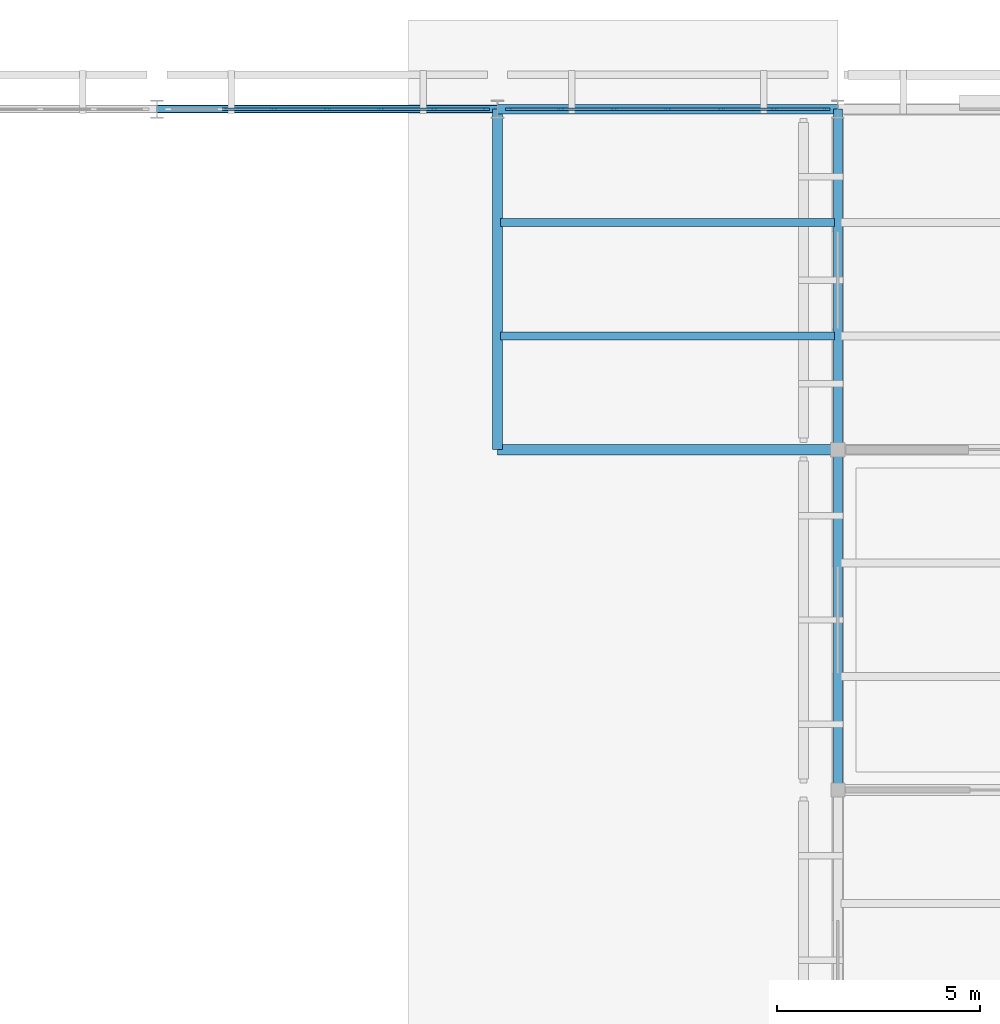
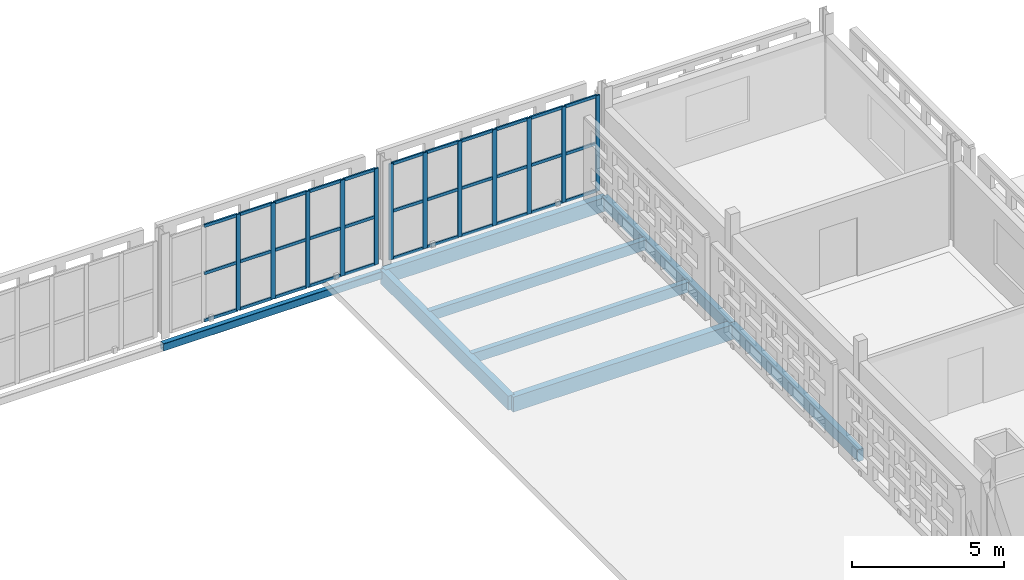
# One storey, part 63 of 140: 45 members, 8 beams, 2 elements without a shape of their own.
"""IFC4 building model written with IfcOpenShell, lengths in metres."""

from ifc_helpers import new_model, si_unit, direction, frame, origin, origin_2d, place, context, subcontext, project, spatial, rectangle, hollow_rectangle, extrude, material, layer, layer_set, material_profile, profile_set, type_object, element, aggregate, save


model = new_model("IFC4")

# Units and contexts
model_context = context("Model", 3, precision=1e-05, world=origin(), true_north=direction((0.0, 1.0)))
body_context = subcontext(model_context, "Body", "Model", "MODEL_VIEW")
ifc_project = project(units=[si_unit("LENGTHUNIT", "METRE"), si_unit("AREAUNIT", "SQUARE_METRE"), si_unit("VOLUMEUNIT", "CUBIC_METRE"), si_unit("PLANEANGLEUNIT", "RADIAN"), si_unit("MASSUNIT", "GRAM", prefix="KILO")], contexts=[model_context])

# Site, building, storey
site_placement = place(None, origin())
site = spatial("IfcSite", under=ifc_project, at=site_placement, CompositionType="ELEMENT")
building_placement = place(site_placement, origin())
building = spatial("IfcBuilding", under=site, at=building_placement, Name="Varnapada Polytechnic", CompositionType="ELEMENT")
storey_placement = place(building_placement, frame((0.0, 0.0, 13.800048828125)))
storey = spatial("IfcBuildingStorey", under=building, at=storey_placement, Name="L03", CompositionType="ELEMENT", Elevation=13.800048828125)

# Beams
ifc_material_1 = material(Name="Glulam GL32h", Category="wood")
ifc_material_profile_1 = material_profile(ifc_material_1, rectangle(XDim=0.199951171875, YDim=0.39990234375, at=origin_2d()), Name="GL 200x400")
ifc_profile_set_1 = profile_set([ifc_material_profile_1], Name="Glulam GL32h")
beam_type_1 = type_object("IfcBeamType", Name="Library/laboratory glulam floor joist GJ-01 (GL 200x400)", PredefinedType="JOIST", material=ifc_profile_set_1)
for number, where, z_axis, x_axis, name in (
    (1, (117.679931640625, 120.39990234375, -0.469970703125), (1.0, 0.0, 0.0), (0.0, 1.0, 0.0), "L03 floor joist 15/15.1"),
    (2, (117.679931640625, 123.199951171875, -0.469970703125), (1.0, 0.0, 0.0), (0.0, 1.0, 0.0), "L03 floor joist 15/15.2"),
):
    element("IfcBeam", number, at=place(storey_placement, frame(where, z_axis=z_axis, x_axis=x_axis)), inside=storey, type_object=beam_type_1, Name=name, PredefinedType="JOIST", context=body_context, shape_type="SweptSolid", body=[
        extrude(rectangle(XDim=0.199951171875, YDim=0.39990234375, at=origin_2d()), origin(), (0.0, 0.0, 1.0), 8.239990234375),
    ])

# Curtain wall, members
ifc_material_2 = material(Name="Double low-E laminated glass", Category="glass")
ifc_layer = layer(ifc_material_2, 0.159912109375)
ifc_layer_set = layer_set([ifc_layer], Name="Double low-E laminated glass")
curtain_wall_type = type_object("IfcCurtainWallType", Name="Curtain Wall CW-02", PredefinedType="NOTDEFINED", material=ifc_layer_set)
curtain_wall_1_placement = place(storey_placement, origin())
curtain_wall_1 = element("IfcCurtainWall", 3, at=curtain_wall_1_placement, inside=storey, type_object=curtain_wall_type, Name="L03 high-bay workshop north curtain wall 14", PredefinedType="NOTDEFINED")
ifc_material_3 = material(Name="Anodised aluminium", Category="aluminium")
ifc_material_profile_2 = material_profile(ifc_material_3, rectangle(XDim=0.06005859375, YDim=0.159912109375, at=origin_2d()), Name="ALU M60x160")
ifc_profile_set_2 = profile_set([ifc_material_profile_2], Name="Anodised aluminium")
member_type_1 = type_object("IfcMemberType", Name="Mullion M-01", PredefinedType="MULLION", material=ifc_profile_set_2)
member_1_placement = place(storey_placement, frame((112.083251953125, 126.0, 0.0), z_axis=(0.0, 0.0, 1.0), x_axis=(0.0, 1.0, 0.0)))
member_1 = element("IfcMember", 4, at=member_1_placement, type_object=member_type_1, Name="CW-02 mullion 3", PredefinedType="MULLION", context=body_context, shape_type="SweptSolid", body=[
    extrude(rectangle(XDim=0.06005859375, YDim=0.159912109375, at=origin_2d()), origin(), (0.0, 0.0, 1.0), 3.849853515625),
])
member_2_placement = place(storey_placement, frame((113.39990234375, 126.0, 0.0), z_axis=(0.0, 0.0, 1.0), x_axis=(0.0, 1.0, 0.0)))
member_2 = element("IfcMember", 5, at=member_2_placement, type_object=member_type_1, Name="CW-02 mullion 4", PredefinedType="MULLION", context=body_context, shape_type="SweptSolid", body=[
    extrude(rectangle(XDim=0.06005859375, YDim=0.159912109375, at=origin_2d()), origin(), (0.0, 0.0, 1.0), 3.849853515625),
])
member_3_placement = place(storey_placement, frame((114.716552734375, 126.0, 0.0), z_axis=(0.0, 0.0, 1.0), x_axis=(0.0, 1.0, 0.0)))
member_3 = element("IfcMember", 6, at=member_3_placement, type_object=member_type_1, Name="CW-02 mullion 5", PredefinedType="MULLION", context=body_context, shape_type="SweptSolid", body=[
    extrude(rectangle(XDim=0.06005859375, YDim=0.159912109375, at=origin_2d()), origin(), (0.0, 0.0, 1.0), 3.849853515625),
])
member_4_placement = place(storey_placement, frame((116.033447265625, 126.0, 0.0), z_axis=(0.0, 0.0, 1.0), x_axis=(0.0, 1.0, 0.0)))
member_4 = element("IfcMember", 7, at=member_4_placement, type_object=member_type_1, Name="CW-02 mullion 6", PredefinedType="MULLION", context=body_context, shape_type="SweptSolid", body=[
    extrude(rectangle(XDim=0.06005859375, YDim=0.159912109375, at=origin_2d()), origin(), (0.0, 0.0, 1.0), 3.849853515625),
])
member_5_placement = place(storey_placement, frame((117.320068359375, 126.0, 0.0), z_axis=(0.0, 0.0, 1.0), x_axis=(0.0, 1.0, 0.0)))
member_5 = element("IfcMember", 8, at=member_5_placement, type_object=member_type_1, Name="CW-02 mullion 7", PredefinedType="MULLION", context=body_context, shape_type="SweptSolid", body=[
    extrude(rectangle(XDim=0.06005859375, YDim=0.159912109375, at=origin_2d()), origin(), (0.0, 0.0, 1.0), 3.849853515625),
])

curtain_wall_2_placement = place(storey_placement, origin())
curtain_wall_2 = element("IfcCurtainWall", 9, at=curtain_wall_2_placement, inside=storey, type_object=curtain_wall_type, Name="L03 high-bay workshop north curtain wall 15", PredefinedType="NOTDEFINED")
member_6_placement = place(storey_placement, frame((117.8798828125, 126.0, 0.0), z_axis=(0.0, 0.0, 1.0), x_axis=(0.0, 1.0, 0.0)))
member_6 = element("IfcMember", 10, at=member_6_placement, type_object=member_type_1, Name="CW-02 mullion 1", PredefinedType="MULLION", context=body_context, shape_type="SweptSolid", body=[
    extrude(rectangle(XDim=0.06005859375, YDim=0.159912109375, at=origin_2d()), origin(), (0.0, 0.0, 1.0), 3.849853515625),
])
member_7_placement = place(storey_placement, frame((119.166748046875, 126.0, 0.0), z_axis=(0.0, 0.0, 1.0), x_axis=(0.0, 1.0, 0.0)))
member_7 = element("IfcMember", 11, at=member_7_placement, type_object=member_type_1, Name="CW-02 mullion 2", PredefinedType="MULLION", context=body_context, shape_type="SweptSolid", body=[
    extrude(rectangle(XDim=0.06005859375, YDim=0.159912109375, at=origin_2d()), origin(), (0.0, 0.0, 1.0), 3.849853515625),
])
member_8_placement = place(storey_placement, frame((120.4833984375, 126.0, 0.0), z_axis=(0.0, 0.0, 1.0), x_axis=(0.0, 1.0, 0.0)))
member_8 = element("IfcMember", 12, at=member_8_placement, type_object=member_type_1, Name="CW-02 mullion 3", PredefinedType="MULLION", context=body_context, shape_type="SweptSolid", body=[
    extrude(rectangle(XDim=0.06005859375, YDim=0.159912109375, at=origin_2d()), origin(), (0.0, 0.0, 1.0), 3.849853515625),
])
member_9_placement = place(storey_placement, frame((121.800048828125, 126.0, 0.0), z_axis=(0.0, 0.0, 1.0), x_axis=(0.0, 1.0, 0.0)))
member_9 = element("IfcMember", 13, at=member_9_placement, type_object=member_type_1, Name="CW-02 mullion 4", PredefinedType="MULLION", context=body_context, shape_type="SweptSolid", body=[
    extrude(rectangle(XDim=0.06005859375, YDim=0.159912109375, at=origin_2d()), origin(), (0.0, 0.0, 1.0), 3.849853515625),
])
member_10_placement = place(storey_placement, frame((123.11669921875, 126.0, 0.0), z_axis=(0.0, 0.0, 1.0), x_axis=(0.0, 1.0, 0.0)))
member_10 = element("IfcMember", 14, at=member_10_placement, type_object=member_type_1, Name="CW-02 mullion 5", PredefinedType="MULLION", context=body_context, shape_type="SweptSolid", body=[
    extrude(rectangle(XDim=0.06005859375, YDim=0.159912109375, at=origin_2d()), origin(), (0.0, 0.0, 1.0), 3.849853515625),
])
member_11_placement = place(storey_placement, frame((124.433349609375, 126.0, 0.0), z_axis=(0.0, 0.0, 1.0), x_axis=(0.0, 1.0, 0.0)))
member_11 = element("IfcMember", 15, at=member_11_placement, type_object=member_type_1, Name="CW-02 mullion 6", PredefinedType="MULLION", context=body_context, shape_type="SweptSolid", body=[
    extrude(rectangle(XDim=0.06005859375, YDim=0.159912109375, at=origin_2d()), origin(), (0.0, 0.0, 1.0), 3.849853515625),
])
member_12_placement = place(storey_placement, frame((125.719970703125, 126.0, 0.0), z_axis=(0.0, 0.0, 1.0), x_axis=(0.0, 1.0, 0.0)))
member_12 = element("IfcMember", 16, at=member_12_placement, type_object=member_type_1, Name="CW-02 mullion 7", PredefinedType="MULLION", context=body_context, shape_type="SweptSolid", body=[
    extrude(rectangle(XDim=0.06005859375, YDim=0.159912109375, at=origin_2d()), origin(), (0.0, 0.0, 1.0), 3.849853515625),
])

# Beams
ifc_material_profile_3 = material_profile(ifc_material_1, rectangle(XDim=0.239990234375, YDim=0.56005859375, at=origin_2d()), Name="GL 240x560")
ifc_profile_set_3 = profile_set([ifc_material_profile_3], Name="Glulam GL32h")
beam_type_2 = type_object("IfcBeamType", Name="Perimeter glulam spandrel beam SP-02 (GL 240x560)", PredefinedType="SPANDREL", material=ifc_profile_set_3)
for number, where, z_axis, x_axis, name in (
    (17, (117.60009765625, 126.0, -0.550048828125), (1.0, 0.0, 0.0), (0.0, 1.0, 0.0), "L03 beam X 15-16 at Y16"),
    (18, (117.60009765625, 117.60009765625, -0.550048828125), (0.0, 1.0, 0.0), (-1.0, 0.0, 0.0), "L03 beam Y 15-16 at X15"),
):
    element("IfcBeam", number, at=place(storey_placement, frame(where, z_axis=z_axis, x_axis=x_axis)), inside=storey, type_object=beam_type_2, Name=name, PredefinedType="SPANDREL", context=body_context, shape_type="SweptSolid", body=[
        extrude(rectangle(XDim=0.239990234375, YDim=0.56005859375, at=origin_2d()), origin(), (0.0, 0.0, 1.0), 8.39990234375),
    ])
ifc_material_profile_4 = material_profile(ifc_material_1, rectangle(XDim=0.260009765625, YDim=0.60009765625, at=origin_2d()), Name="GL 260x600")
ifc_profile_set_4 = profile_set([ifc_material_profile_4], Name="Glulam GL32h")
beam_type_3 = type_object("IfcBeamType", Name="Seminar wing glulam girder GG-05 (GL 260x600)", PredefinedType="BEAM", material=ifc_profile_set_4)
beam_1_placement = place(storey_placement, frame((117.60009765625, 117.60009765625, -0.570068359375), z_axis=(1.0, 0.0, 0.0), x_axis=(0.0, 1.0, 0.0)))
element("IfcBeam", 19, at=beam_1_placement, inside=storey, type_object=beam_type_3, Name="L03 beam X 15-16 at Y15", PredefinedType="BEAM", context=body_context, shape_type="SweptSolid", body=[
    extrude(rectangle(XDim=0.260009765625, YDim=0.60009765625, at=origin_2d()), origin(), (0.0, 0.0, 1.0), 8.39990234375),
])

# Member
ifc_material_profile_5 = material_profile(ifc_material_3, rectangle(XDim=0.06005859375, YDim=0.1201171875, at=origin_2d()), Name="ALU T60x120")
ifc_profile_set_5 = profile_set([ifc_material_profile_5], Name="Anodised aluminium")
member_type_2 = type_object("IfcMemberType", Name="Transom T-01", PredefinedType="USERDEFINED", material=ifc_profile_set_5)
member_13_placement = place(storey_placement, frame((110.796630859375, 126.0, 0.030029296875), z_axis=(1.0, 0.0, 0.0), x_axis=(0.0, 1.0, 0.0)))
member_13 = element("IfcMember", 20, at=member_13_placement, type_object=member_type_2, Name="CW-02 transom 2.1", ObjectType="TRANSOM", PredefinedType="USERDEFINED", context=body_context, shape_type="SweptSolid", body=[
    extrude(rectangle(XDim=0.06005859375, YDim=0.1201171875, at=origin_2d()), origin(), (0.0, 0.0, 1.0), 1.256591796875),
])

member_14_placement = place(storey_placement, frame((110.796630859375, 126.0, 1.925048828125), z_axis=(1.0, 0.0, 0.0), x_axis=(0.0, 1.0, 0.0)))
member_14 = element("IfcMember", 21, at=member_14_placement, type_object=member_type_2, Name="CW-02 transom 2.2", ObjectType="TRANSOM", PredefinedType="USERDEFINED", context=body_context, shape_type="SweptSolid", body=[
    extrude(rectangle(XDim=0.06005859375, YDim=0.1201171875, at=origin_2d()), origin(), (0.0, 0.0, 1.0), 1.256591796875),
])

member_15_placement = place(storey_placement, frame((110.796630859375, 126.0, 3.820068359375), z_axis=(1.0, 0.0, 0.0), x_axis=(0.0, 1.0, 0.0)))
member_15 = element("IfcMember", 22, at=member_15_placement, type_object=member_type_2, Name="CW-02 transom 2.3", ObjectType="TRANSOM", PredefinedType="USERDEFINED", context=body_context, shape_type="SweptSolid", body=[
    extrude(rectangle(XDim=0.06005859375, YDim=0.1201171875, at=origin_2d()), origin(), (0.0, 0.0, 1.0), 1.256591796875),
])

member_16_placement = place(storey_placement, frame((112.11328125, 126.0, 0.030029296875), z_axis=(1.0, 0.0, 0.0), x_axis=(0.0, 1.0, 0.0)))
member_16 = element("IfcMember", 23, at=member_16_placement, type_object=member_type_2, Name="CW-02 transom 3.1", ObjectType="TRANSOM", PredefinedType="USERDEFINED", context=body_context, shape_type="SweptSolid", body=[
    extrude(rectangle(XDim=0.06005859375, YDim=0.1201171875, at=origin_2d()), origin(), (0.0, 0.0, 1.0), 1.2568359375),
])

member_17_placement = place(storey_placement, frame((112.11328125, 126.0, 1.925048828125), z_axis=(1.0, 0.0, 0.0), x_axis=(0.0, 1.0, 0.0)))
member_17 = element("IfcMember", 24, at=member_17_placement, type_object=member_type_2, Name="CW-02 transom 3.2", ObjectType="TRANSOM", PredefinedType="USERDEFINED", context=body_context, shape_type="SweptSolid", body=[
    extrude(rectangle(XDim=0.06005859375, YDim=0.1201171875, at=origin_2d()), origin(), (0.0, 0.0, 1.0), 1.2568359375),
])

member_18_placement = place(storey_placement, frame((112.11328125, 126.0, 3.820068359375), z_axis=(1.0, 0.0, 0.0), x_axis=(0.0, 1.0, 0.0)))
member_18 = element("IfcMember", 25, at=member_18_placement, type_object=member_type_2, Name="CW-02 transom 3.3", ObjectType="TRANSOM", PredefinedType="USERDEFINED", context=body_context, shape_type="SweptSolid", body=[
    extrude(rectangle(XDim=0.06005859375, YDim=0.1201171875, at=origin_2d()), origin(), (0.0, 0.0, 1.0), 1.2568359375),
])

member_19_placement = place(storey_placement, frame((113.429931640625, 126.0, 0.030029296875), z_axis=(1.0, 0.0, 0.0), x_axis=(0.0, 1.0, 0.0)))
member_19 = element("IfcMember", 26, at=member_19_placement, type_object=member_type_2, Name="CW-02 transom 4.1", ObjectType="TRANSOM", PredefinedType="USERDEFINED", context=body_context, shape_type="SweptSolid", body=[
    extrude(rectangle(XDim=0.06005859375, YDim=0.1201171875, at=origin_2d()), origin(), (0.0, 0.0, 1.0), 1.2568359375),
])

member_20_placement = place(storey_placement, frame((113.429931640625, 126.0, 1.925048828125), z_axis=(1.0, 0.0, 0.0), x_axis=(0.0, 1.0, 0.0)))
member_20 = element("IfcMember", 27, at=member_20_placement, type_object=member_type_2, Name="CW-02 transom 4.2", ObjectType="TRANSOM", PredefinedType="USERDEFINED", context=body_context, shape_type="SweptSolid", body=[
    extrude(rectangle(XDim=0.06005859375, YDim=0.1201171875, at=origin_2d()), origin(), (0.0, 0.0, 1.0), 1.2568359375),
])

member_21_placement = place(storey_placement, frame((113.429931640625, 126.0, 3.820068359375), z_axis=(1.0, 0.0, 0.0), x_axis=(0.0, 1.0, 0.0)))
member_21 = element("IfcMember", 28, at=member_21_placement, type_object=member_type_2, Name="CW-02 transom 4.3", ObjectType="TRANSOM", PredefinedType="USERDEFINED", context=body_context, shape_type="SweptSolid", body=[
    extrude(rectangle(XDim=0.06005859375, YDim=0.1201171875, at=origin_2d()), origin(), (0.0, 0.0, 1.0), 1.2568359375),
])

member_22_placement = place(storey_placement, frame((114.74658203125, 126.0, 0.030029296875), z_axis=(1.0, 0.0, 0.0), x_axis=(0.0, 1.0, 0.0)))
member_22 = element("IfcMember", 29, at=member_22_placement, type_object=member_type_2, Name="CW-02 transom 5.1", ObjectType="TRANSOM", PredefinedType="USERDEFINED", context=body_context, shape_type="SweptSolid", body=[
    extrude(rectangle(XDim=0.06005859375, YDim=0.1201171875, at=origin_2d()), origin(), (0.0, 0.0, 1.0), 1.2568359375),
])

member_23_placement = place(storey_placement, frame((114.74658203125, 126.0, 1.925048828125), z_axis=(1.0, 0.0, 0.0), x_axis=(0.0, 1.0, 0.0)))
member_23 = element("IfcMember", 30, at=member_23_placement, type_object=member_type_2, Name="CW-02 transom 5.2", ObjectType="TRANSOM", PredefinedType="USERDEFINED", context=body_context, shape_type="SweptSolid", body=[
    extrude(rectangle(XDim=0.06005859375, YDim=0.1201171875, at=origin_2d()), origin(), (0.0, 0.0, 1.0), 1.2568359375),
])

member_24_placement = place(storey_placement, frame((114.74658203125, 126.0, 3.820068359375), z_axis=(1.0, 0.0, 0.0), x_axis=(0.0, 1.0, 0.0)))
member_24 = element("IfcMember", 31, at=member_24_placement, type_object=member_type_2, Name="CW-02 transom 5.3", ObjectType="TRANSOM", PredefinedType="USERDEFINED", context=body_context, shape_type="SweptSolid", body=[
    extrude(rectangle(XDim=0.06005859375, YDim=0.1201171875, at=origin_2d()), origin(), (0.0, 0.0, 1.0), 1.2568359375),
])

member_25_placement = place(storey_placement, frame((116.063232421875, 126.0, 0.030029296875), z_axis=(1.0, 0.0, 0.0), x_axis=(0.0, 1.0, 0.0)))
member_25 = element("IfcMember", 32, at=member_25_placement, type_object=member_type_2, Name="CW-02 transom 6.1", ObjectType="TRANSOM", PredefinedType="USERDEFINED", context=body_context, shape_type="SweptSolid", body=[
    extrude(rectangle(XDim=0.06005859375, YDim=0.1201171875, at=origin_2d()), origin(), (0.0, 0.0, 1.0), 1.226806640625),
])

member_26_placement = place(storey_placement, frame((116.063232421875, 126.0, 1.925048828125), z_axis=(1.0, 0.0, 0.0), x_axis=(0.0, 1.0, 0.0)))
member_26 = element("IfcMember", 33, at=member_26_placement, type_object=member_type_2, Name="CW-02 transom 6.2", ObjectType="TRANSOM", PredefinedType="USERDEFINED", context=body_context, shape_type="SweptSolid", body=[
    extrude(rectangle(XDim=0.06005859375, YDim=0.1201171875, at=origin_2d()), origin(), (0.0, 0.0, 1.0), 1.226806640625),
])

member_27_placement = place(storey_placement, frame((116.063232421875, 126.0, 3.820068359375), z_axis=(1.0, 0.0, 0.0), x_axis=(0.0, 1.0, 0.0)))
member_27 = element("IfcMember", 34, at=member_27_placement, type_object=member_type_2, Name="CW-02 transom 6.3", ObjectType="TRANSOM", PredefinedType="USERDEFINED", context=body_context, shape_type="SweptSolid", body=[
    extrude(rectangle(XDim=0.06005859375, YDim=0.1201171875, at=origin_2d()), origin(), (0.0, 0.0, 1.0), 1.226806640625),
])

aggregate(curtain_wall_1, [member_1, member_2, member_3, member_4, member_5, member_13, member_14, member_15, member_16, member_17, member_18, member_19, member_20, member_21, member_22, member_23, member_24, member_25, member_26, member_27])

member_28_placement = place(storey_placement, frame((117.909912109375, 126.0, 0.030029296875), z_axis=(1.0, 0.0, 0.0), x_axis=(0.0, 1.0, 0.0)))
member_28 = element("IfcMember", 35, at=member_28_placement, type_object=member_type_2, Name="CW-02 transom 1.1", ObjectType="TRANSOM", PredefinedType="USERDEFINED", context=body_context, shape_type="SweptSolid", body=[
    extrude(rectangle(XDim=0.06005859375, YDim=0.1201171875, at=origin_2d()), origin(), (0.0, 0.0, 1.0), 1.226806640625),
])

member_29_placement = place(storey_placement, frame((117.909912109375, 126.0, 1.925048828125), z_axis=(1.0, 0.0, 0.0), x_axis=(0.0, 1.0, 0.0)))
member_29 = element("IfcMember", 36, at=member_29_placement, type_object=member_type_2, Name="CW-02 transom 1.2", ObjectType="TRANSOM", PredefinedType="USERDEFINED", context=body_context, shape_type="SweptSolid", body=[
    extrude(rectangle(XDim=0.06005859375, YDim=0.1201171875, at=origin_2d()), origin(), (0.0, 0.0, 1.0), 1.226806640625),
])

member_30_placement = place(storey_placement, frame((117.909912109375, 126.0, 3.820068359375), z_axis=(1.0, 0.0, 0.0), x_axis=(0.0, 1.0, 0.0)))
member_30 = element("IfcMember", 37, at=member_30_placement, type_object=member_type_2, Name="CW-02 transom 1.3", ObjectType="TRANSOM", PredefinedType="USERDEFINED", context=body_context, shape_type="SweptSolid", body=[
    extrude(rectangle(XDim=0.06005859375, YDim=0.1201171875, at=origin_2d()), origin(), (0.0, 0.0, 1.0), 1.226806640625),
])

member_31_placement = place(storey_placement, frame((119.19677734375, 126.0, 0.030029296875), z_axis=(1.0, 0.0, 0.0), x_axis=(0.0, 1.0, 0.0)))
member_31 = element("IfcMember", 38, at=member_31_placement, type_object=member_type_2, Name="CW-02 transom 2.1", ObjectType="TRANSOM", PredefinedType="USERDEFINED", context=body_context, shape_type="SweptSolid", body=[
    extrude(rectangle(XDim=0.06005859375, YDim=0.1201171875, at=origin_2d()), origin(), (0.0, 0.0, 1.0), 1.256591796875),
])

member_32_placement = place(storey_placement, frame((119.19677734375, 126.0, 1.925048828125), z_axis=(1.0, 0.0, 0.0), x_axis=(0.0, 1.0, 0.0)))
member_32 = element("IfcMember", 39, at=member_32_placement, type_object=member_type_2, Name="CW-02 transom 2.2", ObjectType="TRANSOM", PredefinedType="USERDEFINED", context=body_context, shape_type="SweptSolid", body=[
    extrude(rectangle(XDim=0.06005859375, YDim=0.1201171875, at=origin_2d()), origin(), (0.0, 0.0, 1.0), 1.256591796875),
])

member_33_placement = place(storey_placement, frame((119.19677734375, 126.0, 3.820068359375), z_axis=(1.0, 0.0, 0.0), x_axis=(0.0, 1.0, 0.0)))
member_33 = element("IfcMember", 40, at=member_33_placement, type_object=member_type_2, Name="CW-02 transom 2.3", ObjectType="TRANSOM", PredefinedType="USERDEFINED", context=body_context, shape_type="SweptSolid", body=[
    extrude(rectangle(XDim=0.06005859375, YDim=0.1201171875, at=origin_2d()), origin(), (0.0, 0.0, 1.0), 1.256591796875),
])

member_34_placement = place(storey_placement, frame((120.513427734375, 126.0, 0.030029296875), z_axis=(1.0, 0.0, 0.0), x_axis=(0.0, 1.0, 0.0)))
member_34 = element("IfcMember", 41, at=member_34_placement, type_object=member_type_2, Name="CW-02 transom 3.1", ObjectType="TRANSOM", PredefinedType="USERDEFINED", context=body_context, shape_type="SweptSolid", body=[
    extrude(rectangle(XDim=0.06005859375, YDim=0.1201171875, at=origin_2d()), origin(), (0.0, 0.0, 1.0), 1.256591796875),
])

member_35_placement = place(storey_placement, frame((120.513427734375, 126.0, 1.925048828125), z_axis=(1.0, 0.0, 0.0), x_axis=(0.0, 1.0, 0.0)))
member_35 = element("IfcMember", 42, at=member_35_placement, type_object=member_type_2, Name="CW-02 transom 3.2", ObjectType="TRANSOM", PredefinedType="USERDEFINED", context=body_context, shape_type="SweptSolid", body=[
    extrude(rectangle(XDim=0.06005859375, YDim=0.1201171875, at=origin_2d()), origin(), (0.0, 0.0, 1.0), 1.256591796875),
])

member_36_placement = place(storey_placement, frame((120.513427734375, 126.0, 3.820068359375), z_axis=(1.0, 0.0, 0.0), x_axis=(0.0, 1.0, 0.0)))
member_36 = element("IfcMember", 43, at=member_36_placement, type_object=member_type_2, Name="CW-02 transom 3.3", ObjectType="TRANSOM", PredefinedType="USERDEFINED", context=body_context, shape_type="SweptSolid", body=[
    extrude(rectangle(XDim=0.06005859375, YDim=0.1201171875, at=origin_2d()), origin(), (0.0, 0.0, 1.0), 1.256591796875),
])

member_37_placement = place(storey_placement, frame((121.830078125, 126.0, 0.030029296875), z_axis=(1.0, 0.0, 0.0), x_axis=(0.0, 1.0, 0.0)))
member_37 = element("IfcMember", 44, at=member_37_placement, type_object=member_type_2, Name="CW-02 transom 4.1", ObjectType="TRANSOM", PredefinedType="USERDEFINED", context=body_context, shape_type="SweptSolid", body=[
    extrude(rectangle(XDim=0.06005859375, YDim=0.1201171875, at=origin_2d()), origin(), (0.0, 0.0, 1.0), 1.256591796875),
])

member_38_placement = place(storey_placement, frame((121.830078125, 126.0, 1.925048828125), z_axis=(1.0, 0.0, 0.0), x_axis=(0.0, 1.0, 0.0)))
member_38 = element("IfcMember", 45, at=member_38_placement, type_object=member_type_2, Name="CW-02 transom 4.2", ObjectType="TRANSOM", PredefinedType="USERDEFINED", context=body_context, shape_type="SweptSolid", body=[
    extrude(rectangle(XDim=0.06005859375, YDim=0.1201171875, at=origin_2d()), origin(), (0.0, 0.0, 1.0), 1.256591796875),
])

member_39_placement = place(storey_placement, frame((121.830078125, 126.0, 3.820068359375), z_axis=(1.0, 0.0, 0.0), x_axis=(0.0, 1.0, 0.0)))
member_39 = element("IfcMember", 46, at=member_39_placement, type_object=member_type_2, Name="CW-02 transom 4.3", ObjectType="TRANSOM", PredefinedType="USERDEFINED", context=body_context, shape_type="SweptSolid", body=[
    extrude(rectangle(XDim=0.06005859375, YDim=0.1201171875, at=origin_2d()), origin(), (0.0, 0.0, 1.0), 1.256591796875),
])

member_40_placement = place(storey_placement, frame((123.146728515625, 126.0, 0.030029296875), z_axis=(1.0, 0.0, 0.0), x_axis=(0.0, 1.0, 0.0)))
member_40 = element("IfcMember", 47, at=member_40_placement, type_object=member_type_2, Name="CW-02 transom 5.1", ObjectType="TRANSOM", PredefinedType="USERDEFINED", context=body_context, shape_type="SweptSolid", body=[
    extrude(rectangle(XDim=0.06005859375, YDim=0.1201171875, at=origin_2d()), origin(), (0.0, 0.0, 1.0), 1.256591796875),
])

member_41_placement = place(storey_placement, frame((123.146728515625, 126.0, 1.925048828125), z_axis=(1.0, 0.0, 0.0), x_axis=(0.0, 1.0, 0.0)))
member_41 = element("IfcMember", 48, at=member_41_placement, type_object=member_type_2, Name="CW-02 transom 5.2", ObjectType="TRANSOM", PredefinedType="USERDEFINED", context=body_context, shape_type="SweptSolid", body=[
    extrude(rectangle(XDim=0.06005859375, YDim=0.1201171875, at=origin_2d()), origin(), (0.0, 0.0, 1.0), 1.256591796875),
])

member_42_placement = place(storey_placement, frame((123.146728515625, 126.0, 3.820068359375), z_axis=(1.0, 0.0, 0.0), x_axis=(0.0, 1.0, 0.0)))
member_42 = element("IfcMember", 49, at=member_42_placement, type_object=member_type_2, Name="CW-02 transom 5.3", ObjectType="TRANSOM", PredefinedType="USERDEFINED", context=body_context, shape_type="SweptSolid", body=[
    extrude(rectangle(XDim=0.06005859375, YDim=0.1201171875, at=origin_2d()), origin(), (0.0, 0.0, 1.0), 1.256591796875),
])

member_43_placement = place(storey_placement, frame((124.46337890625, 126.0, 0.030029296875), z_axis=(1.0, 0.0, 0.0), x_axis=(0.0, 1.0, 0.0)))
member_43 = element("IfcMember", 50, at=member_43_placement, type_object=member_type_2, Name="CW-02 transom 6.1", ObjectType="TRANSOM", PredefinedType="USERDEFINED", context=body_context, shape_type="SweptSolid", body=[
    extrude(rectangle(XDim=0.06005859375, YDim=0.1201171875, at=origin_2d()), origin(), (0.0, 0.0, 1.0), 1.2265625),
])

member_44_placement = place(storey_placement, frame((124.46337890625, 126.0, 1.925048828125), z_axis=(1.0, 0.0, 0.0), x_axis=(0.0, 1.0, 0.0)))
member_44 = element("IfcMember", 51, at=member_44_placement, type_object=member_type_2, Name="CW-02 transom 6.2", ObjectType="TRANSOM", PredefinedType="USERDEFINED", context=body_context, shape_type="SweptSolid", body=[
    extrude(rectangle(XDim=0.06005859375, YDim=0.1201171875, at=origin_2d()), origin(), (0.0, 0.0, 1.0), 1.2265625),
])

member_45_placement = place(storey_placement, frame((124.46337890625, 126.0, 3.820068359375), z_axis=(1.0, 0.0, 0.0), x_axis=(0.0, 1.0, 0.0)))
member_45 = element("IfcMember", 52, at=member_45_placement, type_object=member_type_2, Name="CW-02 transom 6.3", ObjectType="TRANSOM", PredefinedType="USERDEFINED", context=body_context, shape_type="SweptSolid", body=[
    extrude(rectangle(XDim=0.06005859375, YDim=0.1201171875, at=origin_2d()), origin(), (0.0, 0.0, 1.0), 1.2265625),
])

aggregate(curtain_wall_2, [member_6, member_7, member_8, member_9, member_10, member_11, member_12, member_28, member_29, member_30, member_31, member_32, member_33, member_34, member_35, member_36, member_37, member_38, member_39, member_40, member_41, member_42, member_43, member_44, member_45])

# Beams
ifc_material_profile_6 = material_profile(ifc_material_1, rectangle(XDim=0.219970703125, YDim=0.47998046875, at=origin_2d()), Name="GL 220x480")
ifc_profile_set_6 = profile_set([ifc_material_profile_6], Name="Glulam GL32h")
beam_type_4 = type_object("IfcBeamType", Name="Upper floor glulam tie beam GB-11 (GL 220x480)", PredefinedType="BEAM", material=ifc_profile_set_6)
beam_2_placement = place(storey_placement, frame((126.0, 109.199951171875, -0.510009765625), z_axis=(0.0, 1.0, 0.0), x_axis=(-1.0, 0.0, 0.0)))
element("IfcBeam", 53, at=beam_2_placement, inside=storey, type_object=beam_type_4, Name="L03 beam Y 14-15 at X16", PredefinedType="BEAM", context=body_context, shape_type="SweptSolid", body=[
    extrude(rectangle(XDim=0.219970703125, YDim=0.47998046875, at=origin_2d()), origin(), (0.0, 0.0, 1.0), 8.400146484375),
])
beam_3_placement = place(storey_placement, frame((126.0, 117.60009765625, -0.510009765625), z_axis=(0.0, 1.0, 0.0), x_axis=(-1.0, 0.0, 0.0)))
element("IfcBeam", 54, at=beam_3_placement, inside=storey, type_object=beam_type_4, Name="L03 beam Y 15-16 at X16", PredefinedType="BEAM", context=body_context, shape_type="SweptSolid", body=[
    extrude(rectangle(XDim=0.219970703125, YDim=0.47998046875, at=origin_2d()), origin(), (0.0, 0.0, 1.0), 8.39990234375),
])
ifc_material_4 = material(Name="Steel S355", Category="steel")
ifc_material_profile_7 = material_profile(ifc_material_4, hollow_rectangle(XDim=0.199951171875, YDim=0.300048828125, WallThickness=0.010009765625, InnerFilletRadius=0.010009765625, OuterFilletRadius=0.02001953125, at=origin_2d()), Name="RHS 300x200x10")
ifc_profile_set_7 = profile_set([ifc_material_profile_7], Name="Steel S355")
beam_type_5 = type_object("IfcBeamType", Name="Workshop steel spandrel tie SP-03 (RHS 300x200x10)", PredefinedType="SPANDREL", material=ifc_profile_set_7)
beam_4_placement = place(storey_placement, frame((109.199951171875, 126.0, -0.449951171875), z_axis=(1.0, 0.0, 0.0), x_axis=(0.0, 1.0, 0.0)))
element("IfcBeam", 55, at=beam_4_placement, inside=storey, type_object=beam_type_5, Name="L03 workshop clerestory tie X14-15 Y16", PredefinedType="SPANDREL", context=body_context, shape_type="SweptSolid", body=[
    extrude(hollow_rectangle(XDim=0.199951171875, YDim=0.300048828125, WallThickness=0.010009765625, InnerFilletRadius=0.010009765625, OuterFilletRadius=0.02001953125, at=origin_2d()), origin(), (0.0, 0.0, 1.0), 8.400146484375),
])

save(model, "model.ifc")
